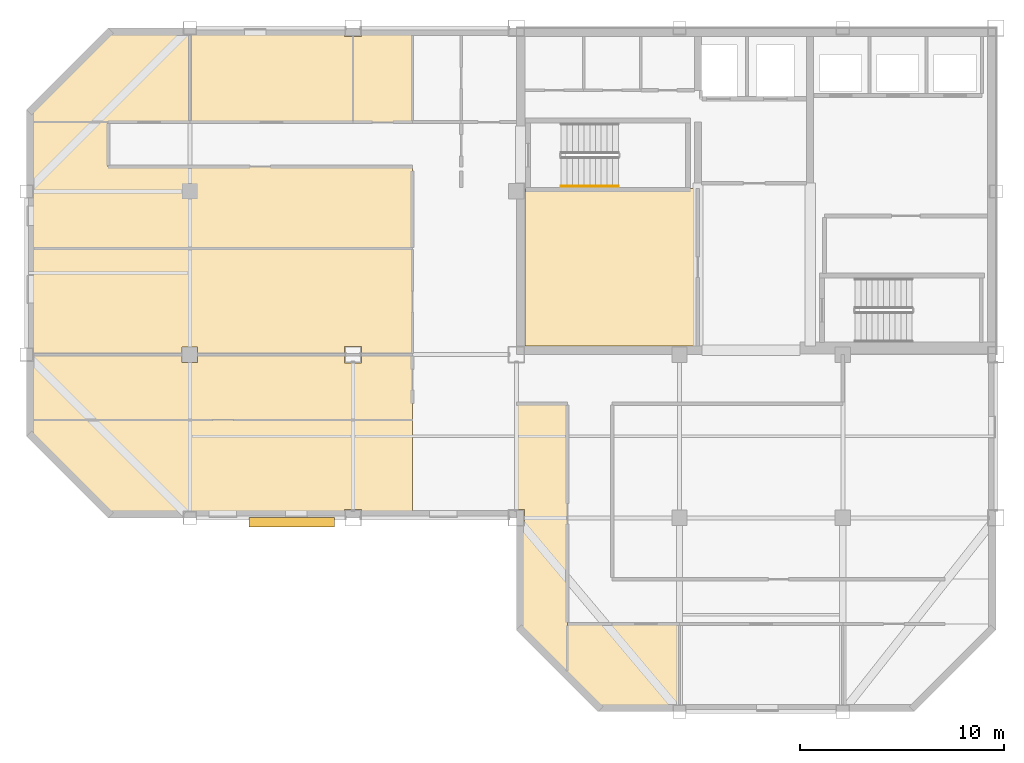
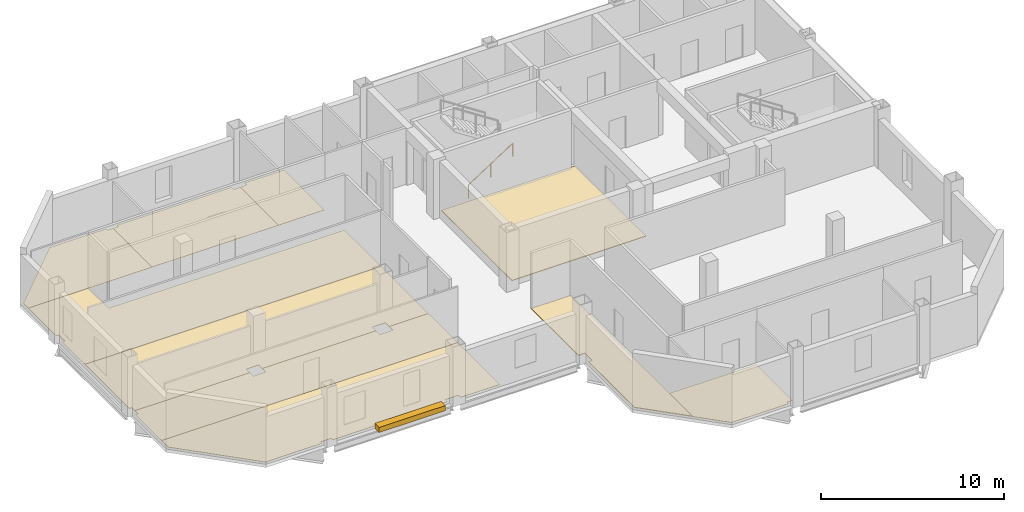
# One storey, part 5 of 7: 10 coverings, 1 railing, 1 shading device.
"""IFC4 building model written with IfcOpenShell, lengths in metres."""

from ifc_helpers import new_model, si_unit, direction, frame, origin, origin_2d, place, context, subcontext, project, spatial, polyline, rectangle, circle, outline, extrude, material, layer, layer_set, type_object, element, save


model = new_model("IFC4")

# Units and contexts
model_context = context("Model", 3, precision=1e-05, world=origin(), true_north=direction((0.0, 1.0)))
body_context = subcontext(model_context, "Body", "Model", "MODEL_VIEW")
ifc_project = project(units=[si_unit("LENGTHUNIT", "METRE"), si_unit("AREAUNIT", "SQUARE_METRE"), si_unit("VOLUMEUNIT", "CUBIC_METRE"), si_unit("PLANEANGLEUNIT", "RADIAN"), si_unit("MASSUNIT", "GRAM", prefix="KILO")], contexts=[model_context])

# Site, building, storey
site_placement = place(None, origin())
site = spatial("IfcSite", under=ifc_project, at=site_placement, CompositionType="ELEMENT")
building_placement = place(site_placement, origin())
building = spatial("IfcBuilding", under=site, at=building_placement, Name="Qianrong Seaharbour Tower", CompositionType="ELEMENT")
storey_placement = place(building_placement, frame((0.0, 0.0, 303.199951171875)))
storey = spatial("IfcBuildingStorey", under=building, at=storey_placement, Name="L73", CompositionType="ELEMENT", Elevation=303.199951171875)

# Coverings
ifc_material_1 = material(Name="Acoustic modular carpet tile flooring")
ifc_layer_1 = layer(ifc_material_1, 0.02001953125)
ifc_layer_set_1 = layer_set([ifc_layer_1], Name="Acoustic modular carpet tile flooring")
covering_type_1 = type_object("IfcCoveringType", Name="COV-FLOOR-CARPET-20", PredefinedType="FLOORING", material=ifc_layer_set_1)
covering_1_placement = place(storey_placement, origin())
element("IfcCovering", 1, at=covering_1_placement, inside=storey, type_object=covering_type_1, Name="L73 Boardroom 1 Finish Flooring", PredefinedType="FLOORING", context=body_context, shape_type="SweptSolid", body=[
    extrude(outline(polyline([(16.675048828125, 47.927490234375), (20.572509765625, 51.824951171875), (24.1650390625, 51.824951171875), (24.1650390625, 51.6650390625), (24.5, 51.6650390625), (24.5, 47.39990234375), (16.675048828125, 47.39990234375), (16.675048828125, 47.927490234375)])), origin(), (0.0, 0.0, 1.0), 0.02001953125),
])
covering_2_placement = place(storey_placement, origin())
element("IfcCovering", 2, at=covering_2_placement, inside=storey, type_object=covering_type_1, Name="L73 Meeting Room 2 Finish Flooring", PredefinedType="FLOORING", context=body_context, shape_type="SweptSolid", body=[
    extrude(outline(polyline([(24.5, 51.6650390625), (24.8349609375, 51.6650390625), (24.8349609375, 51.824951171875), (32.090087890625, 51.824951171875), (32.090087890625, 51.590087890625), (32.5, 51.590087890625), (32.5, 47.39990234375), (24.5, 47.39990234375), (24.5, 51.6650390625)])), origin(), (0.0, 0.0, 1.0), 0.02001953125),
])
covering_3_placement = place(storey_placement, origin())
element("IfcCovering", 3, at=covering_3_placement, inside=storey, type_object=covering_type_1, Name="L73 Project Library 3 Finish Flooring", PredefinedType="FLOORING", context=body_context, shape_type="SweptSolid", body=[
    extrude(outline(polyline([(32.5, 51.590087890625), (32.909912109375, 51.590087890625), (32.909912109375, 51.824951171875), (35.39990234375, 51.824951171875), (35.39990234375, 47.39990234375), (32.5, 47.39990234375), (32.5, 51.590087890625)])), origin(), (0.0, 0.0, 1.0), 0.02001953125),
])
covering_4_placement = place(storey_placement, origin())
element("IfcCovering", 4, at=covering_4_placement, inside=storey, type_object=covering_type_1, Name="L73 Harbour Lecture Hall 1 Finish Flooring", PredefinedType="FLOORING", context=body_context, shape_type="SweptSolid", body=[
    extrude(outline(polyline([(32.909912109375, 28.175048828125), (32.909912109375, 28.409912109375), (32.090087890625, 28.409912109375), (32.090087890625, 28.175048828125), (24.8349609375, 28.175048828125), (24.8349609375, 28.3349609375), (24.1650390625, 28.3349609375), (24.1650390625, 28.175048828125), (20.572509765625, 28.175048828125), (16.675048828125, 32.072509765625), (16.675048828125, 32.800048828125), (35.39990234375, 32.800048828125), (35.39990234375, 28.175048828125), (32.909912109375, 28.175048828125)])), origin(), (0.0, 0.0, 1.0), 0.02001953125),
])
covering_5_placement = place(storey_placement, origin())
element("IfcCovering", 5, at=covering_5_placement, inside=storey, type_object=covering_type_1, Name="L73 Division Conference Gallery 2 Finish Flooring", PredefinedType="FLOORING", context=body_context, shape_type="SweptSolid", body=[
    extrude(outline(polyline([(16.675048828125, 32.800048828125), (16.675048828125, 35.6650390625), (16.8349609375, 35.6650390625), (16.8349609375, 36.0), (24.114990234375, 36.0), (24.114990234375, 35.614990234375), (24.885009765625, 35.614990234375), (24.885009765625, 36.0), (32.090087890625, 36.0), (32.090087890625, 35.590087890625), (32.909912109375, 35.590087890625), (32.909912109375, 36.0), (35.39990234375, 36.0), (35.39990234375, 32.800048828125), (16.675048828125, 32.800048828125)])), origin(), (0.0, 0.0, 1.0), 0.02001953125),
])
covering_6_placement = place(storey_placement, origin())
element("IfcCovering", 6, at=covering_6_placement, inside=storey, type_object=covering_type_1, Name="L73 Wet Pantry 3 Finish Flooring", PredefinedType="FLOORING", context=body_context, shape_type="SweptSolid", body=[
    extrude(outline(polyline([(32.909912109375, 36.0), (32.909912109375, 36.409912109375), (32.090087890625, 36.409912109375), (32.090087890625, 36.0), (24.885009765625, 36.0), (24.885009765625, 36.385009765625), (24.114990234375, 36.385009765625), (24.114990234375, 36.0), (16.8349609375, 36.0), (16.8349609375, 36.3349609375), (16.675048828125, 36.3349609375), (16.675048828125, 41.199951171875), (35.39990234375, 41.199951171875), (35.39990234375, 36.0), (32.909912109375, 36.0)])), origin(), (0.0, 0.0, 1.0), 0.02001953125),
])
covering_7_placement = place(storey_placement, origin())
element("IfcCovering", 7, at=covering_7_placement, inside=storey, type_object=covering_type_1, Name="L73 Harbour Lecture Hall 4 Finish Flooring", PredefinedType="FLOORING", context=body_context, shape_type="SweptSolid", body=[
    extrude(outline(polyline([(16.675048828125, 41.199951171875), (16.675048828125, 43.6650390625), (16.8349609375, 43.6650390625), (16.8349609375, 44.3349609375), (16.675048828125, 44.3349609375), (16.675048828125, 47.39990234375), (20.5, 47.39990234375), (20.5, 45.199951171875), (35.39990234375, 45.199951171875), (35.39990234375, 41.199951171875), (16.675048828125, 41.199951171875)])), origin(), (0.0, 0.0, 1.0), 0.02001953125),
])
covering_8_placement = place(storey_placement, origin())
element("IfcCovering", 8, at=covering_8_placement, inside=storey, type_object=covering_type_1, Name="L73 Maritime Seminar Room 1 Finish Flooring", PredefinedType="FLOORING", context=body_context, shape_type="SweptSolid", body=[
    extrude(outline(polyline([(48.5, 18.8349609375), (48.1650390625, 18.8349609375), (48.1650390625, 18.675048828125), (44.572509765625, 18.675048828125), (43.0, 20.24755859375), (43.0, 22.800048828125), (48.5, 22.800048828125), (48.5, 18.8349609375)])), origin(), (0.0, 0.0, 1.0), 0.02001953125),
])
ifc_material_2 = material(Name="Calcium-sulphate raised access floor tile")
ifc_layer_2 = layer(ifc_material_2, 0.044921875)
ifc_layer_set_2 = layer_set([ifc_layer_2], Name="Calcium-sulphate raised access floor tile")
covering_type_2 = type_object("IfcCoveringType", Name="COV-FLOOR-RAISED-45", PredefinedType="FLOORING", material=ifc_layer_set_2)
covering_9_placement = place(storey_placement, origin())
element("IfcCovering", 9, at=covering_9_placement, inside=storey, type_object=covering_type_2, Name="L73 Data Systems Office Finish Flooring", PredefinedType="FLOORING", context=body_context, shape_type="SweptSolid", body=[
    extrude(outline(polyline([(49.39990234375, 44.14990234375), (49.39990234375, 36.419921875), (40.919921875, 36.419921875), (40.919921875, 44.14990234375), (49.39990234375, 44.14990234375)])), origin(), (0.0, 0.0, 1.0), 0.045166015625),
])
covering_10_placement = place(storey_placement, origin())
element("IfcCovering", 10, at=covering_10_placement, inside=storey, type_object=covering_type_2, Name="L73 West Spine Open-Plan Office Finish Flooring", PredefinedType="FLOORING", context=body_context, shape_type="SweptSolid", body=[
    extrude(outline(polyline([(43.0, 20.24755859375), (40.675048828125, 22.572509765625), (40.675048828125, 27.590087890625), (40.909912109375, 27.590087890625), (40.909912109375, 28.409912109375), (40.5, 28.409912109375), (40.5, 33.60009765625), (43.0, 33.60009765625), (43.0, 20.24755859375)])), origin(), (0.0, 0.0, 1.0), 0.045166015625),
])

# Railing
ifc_material_3 = material(Name="Stainless steel SUS316L continuous handrail", Category="steel")
railing_type = type_object("IfcRailingType", Name="RAIL-STAIR-HANDRAIL-900", PredefinedType="HANDRAIL", material=ifc_material_3)
railing_placement = place(storey_placement, frame((42.699951171875, 44.25, 0.181884765625)))
element("IfcRailing", 11, at=railing_placement, inside=storey, type_object=railing_type, Name="L73 ST-1 stair handrail 1", PredefinedType="HANDRAIL", context=body_context, shape_type="SweptSolid", body=[
    extrude(circle(Radius=0.02392578125, at=origin_2d()), frame((0.0, 0.0, 0.8759765625), z_axis=(0.838705829183, 0.0, 0.544584733623), x_axis=(0.0, 1.0, 0.0)), (0.0, 0.0, 1.0), 3.338623046875),
    extrude(circle(Radius=0.02099609375, at=origin_2d()), origin(), (0.0, 0.0, 1.0), 0.851806640625),
    extrude(circle(Radius=0.02099609375, at=origin_2d()), frame((1.39990234375, 0.0, 0.9091796875)), (0.0, 0.0, 1.0), 0.851806640625),
    extrude(circle(Radius=0.02099609375, at=origin_2d()), frame((2.800048828125, 0.0, 1.818115234375)), (0.0, 0.0, 1.0), 0.851806640625),
])

# Shading device
ifc_material_4 = material(Name="White architectural precast concrete C45/55", Category="concrete")
shading_device_type = type_object("IfcShadingDeviceType", Name="SHD-SUNSHADE-WHITE-320", PredefinedType="AWNING", material=ifc_material_4)
shading_device_placement = place(storey_placement, frame((29.5, 27.780029296875, -0.02001953125), z_axis=(0.0, 0.0, 1.0), x_axis=(1.0, 0.0, 0.0)))
element("IfcShadingDevice", 12, at=shading_device_placement, inside=storey, type_object=shading_device_type, Name="L73 Climbing White Precast Ribbon Canopy Fin", PredefinedType="AWNING", context=body_context, shape_type="SweptSolid", body=[
    extrude(rectangle(XDim=4.199951171875, YDim=0.4599609375, at=origin_2d()), origin(), (0.0, 0.0, 1.0), 0.340087890625),
])

save(model, "model.ifc")
